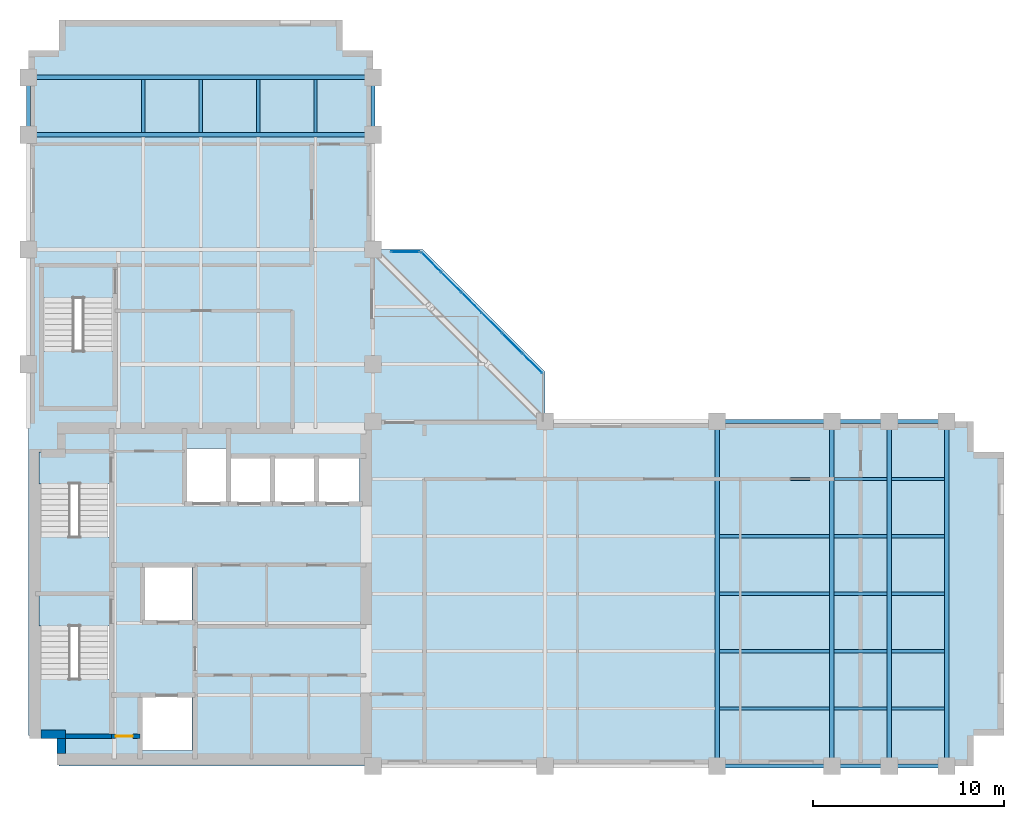
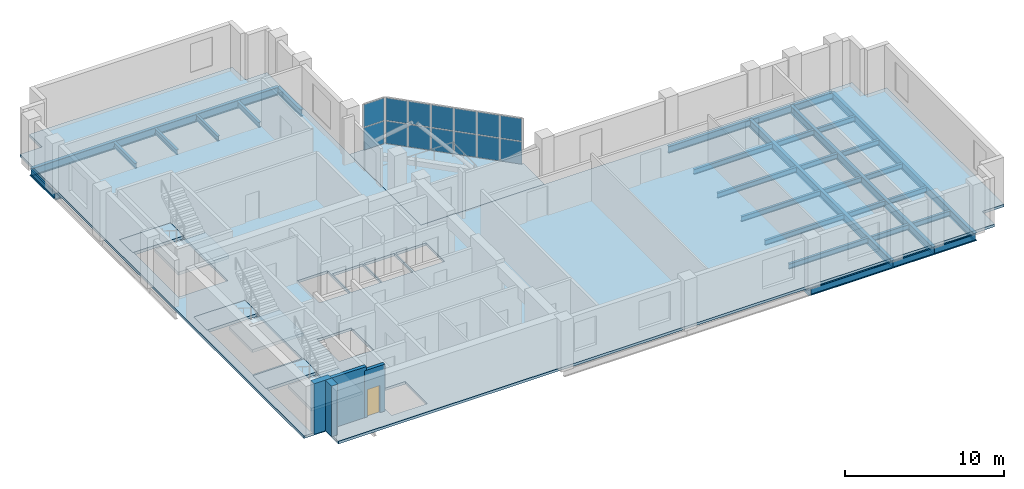
# One storey, part 4 of 9: 33 beams, 14 plates, 8 slabs, 4 walls, 1 door, 1 opening, 5 elements without a shape of their own.
"""IFC4 building model written with IfcOpenShell, lengths in metres."""

import ifcopenshell
import ifcopenshell.guid

model = None  # the IFC model being written
_history = None  # IfcOwnerHistory: only IFC2X3 demands one
_inside = {}  # id of a spatial element -> (the spatial element, [elements in it])
_under = {}  # id of a project, library or spatial element -> (it, [spatial elements below it])
_declared = {}  # id of a project -> (the project, [libraries it declares])
_typed = {}  # id of a type object -> (the type object, [elements of that type])
_made_of = {}  # id of a material, layer set ... -> (it, [elements and type objects made of it])


def new_model(schema):
    """Start an empty IFC model of exactly this schema.

    Asked for "IFC4X3", IfcOpenShell would pick the latest addendum, in which some entities
    have other attributes; the version numbers below select the first issue.
    IFC2X3 requires an IfcOwnerHistory on every rooted entity: one is made here for all.
    """
    global model, _history
    if schema == "IFC4X3":
        model = ifcopenshell.file(schema_version=(4, 3, 0, 0))
    else:
        model = ifcopenshell.file(schema=schema)
    _inside.clear()
    _under.clear()
    _declared.clear()
    _typed.clear()
    _made_of.clear()
    _history = None
    if model.schema == "IFC2X3":
        org = make("IfcOrganization", Name="unknown")
        user = make(
            "IfcPersonAndOrganization",
            ThePerson=make("IfcPerson", FamilyName="unknown"),
            TheOrganization=org,
        )
        app = make(
            "IfcApplication",
            ApplicationDeveloper=org,
            Version="unknown",
            ApplicationFullName="unknown",
            ApplicationIdentifier="unknown",
        )
        _history = make(
            "IfcOwnerHistory",
            OwningUser=user,
            OwningApplication=app,
            ChangeAction="ADDED",
            CreationDate=0,
        )
    return model


def make(cls, **values):
    """One entity of the class cls with the attributes given. An attribute that is None is left unset."""
    return model.create_entity(
        cls, **{name: value for name, value in values.items() if value is not None}
    )


def rooted(cls, **values):
    """An entity with a GlobalId (a new one), such as an element, a storey or a relation."""
    return make(cls, GlobalId=ifcopenshell.guid.new(), OwnerHistory=_history, **values)


def si_unit(unit_type, name, prefix=None):
    """IfcSIUnit, for example si_unit("LENGTHUNIT", "METRE", prefix="MILLI")."""
    return make("IfcSIUnit", UnitType=unit_type, Prefix=prefix, Name=name)


def assignment(units):
    """IfcUnitAssignment: the units of a project."""
    return None if units is None else make("IfcUnitAssignment", Units=units)


def point(xyz):
    """IfcCartesianPoint."""
    return None if xyz is None else make("IfcCartesianPoint", Coordinates=xyz)


def direction(xyz):
    """IfcDirection."""
    return None if xyz is None else make("IfcDirection", DirectionRatios=xyz)


def frame(location, z_axis=None, x_axis=None):
    """IfcAxis2Placement3D, a coordinate frame: its origin and axes. An axis left out is left unset."""
    return make(
        "IfcAxis2Placement3D",
        Location=point(location),
        Axis=direction(z_axis),
        RefDirection=direction(x_axis),
    )


def frame_2d(location, x_axis=None):
    """IfcAxis2Placement2D, a coordinate frame in the plane: its origin and x axis."""
    return make(
        "IfcAxis2Placement2D", Location=point(location), RefDirection=direction(x_axis)
    )


def origin():
    """The frame at (0, 0, 0) with its axes left unset."""
    return frame((0.0, 0.0, 0.0))


def origin_2d():
    """The frame at (0, 0) in the plane with its x axis left unset."""
    return frame_2d((0.0, 0.0))


def place(relative_to, where):
    """IfcLocalPlacement: puts the frame where relative to a parent placement (None: the world)."""
    return make(
        "IfcLocalPlacement", PlacementRelTo=relative_to, RelativePlacement=where
    )


def context(
    kind, dimensions, precision=None, world=None, true_north=None, identifier=None
):
    """IfcGeometricRepresentationContext, for example the 3D "Model" context."""
    return make(
        "IfcGeometricRepresentationContext",
        ContextIdentifier=identifier,
        ContextType=kind,
        CoordinateSpaceDimension=dimensions,
        Precision=precision,
        WorldCoordinateSystem=world,
        TrueNorth=true_north,
    )


def subcontext(parent, identifier, kind, view, scale=None):
    """IfcGeometricRepresentationSubContext, for example "Body" below "Model"."""
    return make(
        "IfcGeometricRepresentationSubContext",
        ContextIdentifier=identifier,
        ContextType=kind,
        ParentContext=parent,
        TargetScale=scale,
        TargetView=view,
    )


def project(units=None, contexts=None):
    """IfcProject with its units and contexts."""
    return rooted(
        "IfcProject",
        Name="project",
        RepresentationContexts=contexts,
        UnitsInContext=assignment(units),
    )


def spatial(cls, under=None, at=None, **own):
    """A site, building, storey or space (cls), placed at a placement, below another one or the project."""
    s = rooted(cls, ObjectPlacement=at, **own)
    if under is not None:
        _under.setdefault(under.id(), (under, []))[1].append(s)
    return s


def polyline(points):
    """IfcPolyline through the points."""
    return make("IfcPolyline", Points=[point(p) for p in points])


def profile(cls, at=None, kind="AREA", **sizes):
    """A parametric profile (cls). Its sizes go by their IFC names, for example OverallWidth=200.0."""
    return make(cls, ProfileType=kind, Position=at, **sizes)


def rectangle(**sizes):
    """IfcRectangleProfileDef."""
    return profile("IfcRectangleProfileDef", **sizes)


def i_section(**sizes):
    """IfcIShapeProfileDef."""
    return profile("IfcIShapeProfileDef", **sizes)


def outline(outer, holes=None, kind="AREA"):
    """IfcArbitraryClosedProfileDef: a profile drawn as a closed curve; with holes, ...WithVoids."""
    if holes is None:
        return make("IfcArbitraryClosedProfileDef", ProfileType=kind, OuterCurve=outer)
    return make(
        "IfcArbitraryProfileDefWithVoids",
        ProfileType=kind,
        OuterCurve=outer,
        InnerCurves=holes,
    )


def extrude(swept, where, along, depth):
    """IfcExtrudedAreaSolid: the profile swept, set in the frame where, extruded along a direction by depth."""
    return make(
        "IfcExtrudedAreaSolid",
        SweptArea=swept,
        Position=where,
        ExtrudedDirection=direction(along),
        Depth=depth,
    )


def shape(context_of_items, identifier, shape_type, items):
    """IfcShapeRepresentation: the items that make up one representation, for example the "Body"."""
    return make(
        "IfcShapeRepresentation",
        ContextOfItems=context_of_items,
        RepresentationIdentifier=identifier,
        RepresentationType=shape_type,
        Items=items,
    )


def material(Name=None, Category=None):
    """IfcMaterial."""
    return make("IfcMaterial", Name=Name, Category=Category)


def layer(
    of_material, thickness, ventilated=None, Name=None, Category=None, Priority=None
):
    """IfcMaterialLayer: one layer of a wall or slab, of a material (None: an air gap)."""
    return make(
        "IfcMaterialLayer",
        Material=of_material,
        LayerThickness=thickness,
        IsVentilated=ventilated,
        Name=Name,
        Category=Category,
        Priority=Priority,
    )


def layer_set(layers, Name=None):
    """IfcMaterialLayerSet."""
    return make("IfcMaterialLayerSet", MaterialLayers=layers, LayerSetName=Name)


def material_profile(
    of_material, cross_section, Name=None, Category=None, Priority=None
):
    """IfcMaterialProfile: a cross section and its material."""
    return make(
        "IfcMaterialProfile",
        Name=Name,
        Material=of_material,
        Profile=cross_section,
        Priority=Priority,
        Category=Category,
    )


def profile_set(profiles, Name=None, composite=None):
    """IfcMaterialProfileSet."""
    return make(
        "IfcMaterialProfileSet",
        Name=Name,
        MaterialProfiles=profiles,
        CompositeProfile=composite,
    )


def made_of(thing, what):
    """Note that an element or type object is made of a material, layer set ...; save() writes the relation."""
    if what is not None:
        _made_of.setdefault(what.id(), (what, []))[1].append(thing)
    return thing


def type_object(cls, material=None, **own):
    """A type object (cls), such as IfcWallType, which elements share."""
    return made_of(rooted(cls, **own), material)


def element(
    cls,
    number,
    at=None,
    inside=None,
    cuts=None,
    type_object=None,
    material=None,
    context=None,
    identifier="Body",
    shape_type=None,
    held_by="IfcProductDefinitionShape",
    body=None,
    shapes=None,
    **own,
):
    """One element of the class cls, such as IfcWall. Its Tag is "e" and its number.

    at: its placement. inside: the storey or other place that contains it. cuts: it is an
    opening in that element (IfcRelVoidsElement). A single representation is given by context,
    identifier, shape_type and body (its items); several are given by shapes. held_by: the class
    of the entity that holds the representations. save() writes the other relations.
    """
    e = rooted(cls, Tag="e%d" % number, ObjectPlacement=at, **own)
    if body is not None:
        shapes = [shape(context, identifier, shape_type, body)]
    if shapes is not None:
        e.Representation = make(held_by, Representations=shapes)
    if inside is not None:
        _inside.setdefault(inside.id(), (inside, []))[1].append(e)
    if cuts is not None:
        rooted(
            "IfcRelVoidsElement", RelatingBuildingElement=cuts, RelatedOpeningElement=e
        )
    if type_object is not None:
        _typed.setdefault(type_object.id(), (type_object, []))[1].append(e)
    return made_of(e, material)


def fill(opening, filler):
    """IfcRelFillsElement: the door or window that sits in an opening."""
    return rooted(
        "IfcRelFillsElement",
        RelatingOpeningElement=opening,
        RelatedBuildingElement=filler,
    )


def aggregate(whole, parts):
    """IfcRelAggregates: a whole, such as a stair, and the parts it consists of."""
    return rooted("IfcRelAggregates", RelatingObject=whole, RelatedObjects=parts)


def save(model, path):
    """Write the relations noted so far, then the file.

    IfcRelAggregates (storeys below a building ...), IfcRelContainedInSpatialStructure (elements
    in a storey), IfcRelDefinesByType, IfcRelAssociatesMaterial and IfcRelDeclares: one each for
    every whole, place, type object, material and project.
    """
    for whole, parts in _under.values():
        aggregate(whole, parts)
    for where, things in _inside.values():
        rooted(
            "IfcRelContainedInSpatialStructure",
            RelatedElements=things,
            RelatingStructure=where,
        )
    for kind, things in _typed.values():
        rooted("IfcRelDefinesByType", RelatedObjects=things, RelatingType=kind)
    for what, things in _made_of.values():
        rooted("IfcRelAssociatesMaterial", RelatedObjects=things, RelatingMaterial=what)
    for by, libraries in _declared.values():
        rooted("IfcRelDeclares", RelatingContext=by, RelatedDefinitions=libraries)
    model.write(path)


model = new_model("IFC4")

# Units and contexts
model_context = context("Model", 3, precision=1e-05, world=origin(), true_north=direction((0.0, 1.0)))
body_context = subcontext(model_context, "Body", "Model", "MODEL_VIEW")
ifc_project = project(units=[si_unit("LENGTHUNIT", "METRE"), si_unit("AREAUNIT", "SQUARE_METRE"), si_unit("VOLUMEUNIT", "CUBIC_METRE"), si_unit("PLANEANGLEUNIT", "RADIAN"), si_unit("MASSUNIT", "GRAM", prefix="KILO")], contexts=[model_context])

# Site, building, storey
site_placement = place(None, origin())
site = spatial("IfcSite", under=ifc_project, at=site_placement, CompositionType="ELEMENT")
building_placement = place(site_placement, origin())
building = spatial("IfcBuilding", under=site, at=building_placement, Name="Mawjdan Bourse Tower", CompositionType="ELEMENT")
storey_placement = place(building_placement, frame((0.0, 0.0, 222.89990234375)))
storey = spatial("IfcBuildingStorey", under=building, at=storey_placement, Name="L54", CompositionType="ELEMENT", Elevation=222.89990234375)

# Beams
ifc_material_1 = material(Name="Structural Steel S355", Category="steel")
ifc_material_profile_1 = material_profile(ifc_material_1, i_section(OverallWidth=0.22998046875, OverallDepth=0.616943359375, WebThickness=0.01318359375, FlangeThickness=0.022216796875, FilletRadius=0.017822265625, at=origin_2d()), Name="W24X94")
ifc_profile_set_1 = profile_set([ifc_material_profile_1], Name="Structural Steel S355")
beam_type_1 = type_object("IfcBeamType", Name="GRD-W24X94", PredefinedType="BEAM", material=ifc_profile_set_1)
for number, where, z_axis, x_axis, name in (
    (1, (42.0, 3.0, -0.50830078125), (0.0, 1.0, 0.0), (-1.0, 0.0, 0.0), "L54 East Wing Clear-Span Girder 003"),
    (2, (48.0, 3.0, -0.50830078125), (0.0, 1.0, 0.0), (-1.0, 0.0, 0.0), "L54 East Wing Clear-Span Girder 004"),
    (3, (51.0, 3.0, -0.50830078125), (0.0, 1.0, 0.0), (-1.0, 0.0, 0.0), "L54 East Wing Clear-Span Girder 005"),
    (4, (54.0, 3.0, -0.50830078125), (0.0, 1.0, 0.0), (-1.0, 0.0, 0.0), "L54 East Wing Clear-Span Girder 006"),
    (5, (6.0, 36.0, -0.50830078125), (1.0, 0.0, 0.0), (0.0, 1.0, 0.0), "L54 North Wing Clear-Span Girder 049"),
    (6, (6.0, 39.0, -0.50830078125), (1.0, 0.0, 0.0), (0.0, 1.0, 0.0), "L54 North Wing Clear-Span Girder 050"),
):
    element("IfcBeam", number, at=place(storey_placement, frame(where, z_axis=z_axis, x_axis=x_axis)), inside=storey, type_object=beam_type_1, Name=name, PredefinedType="BEAM", context=body_context, shape_type="SweptSolid", body=[
        extrude(i_section(OverallWidth=0.22998046875, OverallDepth=0.616943359375, WebThickness=0.01318359375, FlangeThickness=0.022216796875, FilletRadius=0.017822265625, at=origin_2d()), origin(), (0.0, 0.0, 1.0), 18.0),
    ])
ifc_material_profile_2 = material_profile(ifc_material_1, i_section(OverallWidth=0.177978515625, OverallDepth=0.406982421875, WebThickness=0.0078125, FlangeThickness=0.0126953125, FilletRadius=0.01025390625, at=origin_2d()), Name="W16X40")
ifc_profile_set_2 = profile_set([ifc_material_profile_2], Name="Structural Steel S355")
beam_type_2 = type_object("IfcBeamType", Name="JST-W16X40", PredefinedType="JOIST", material=ifc_profile_set_2)
beam_1_placement = place(storey_placement, frame((42.113037109375, 6.0, -0.4033203125), z_axis=(1.0, 0.0, 0.0), x_axis=(0.0, 1.0, 0.0)))
element("IfcBeam", 7, at=beam_1_placement, inside=storey, type_object=beam_type_2, Name="L54 East Wing Composite Joist 019", PredefinedType="JOIST", context=body_context, shape_type="SweptSolid", body=[
    extrude(i_section(OverallWidth=0.177978515625, OverallDepth=0.406982421875, WebThickness=0.0078125, FlangeThickness=0.0126953125, FilletRadius=0.01025390625, at=origin_2d()), origin(), (0.0, 0.0, 1.0), 5.77392578125),
])
for number, where, z_axis, x_axis, name in (
    (8, (48.113037109375, 6.0, -0.4033203125), (1.0, 0.0, 0.0), (0.0, 1.0, 0.0), "L54 East Wing Composite Joist 020"),
    (9, (51.113037109375, 6.0, -0.4033203125), (1.0, 0.0, 0.0), (0.0, 1.0, 0.0), "L54 East Wing Composite Joist 021"),
):
    element("IfcBeam", number, at=place(storey_placement, frame(where, z_axis=z_axis, x_axis=x_axis)), inside=storey, type_object=beam_type_2, Name=name, PredefinedType="JOIST", context=body_context, shape_type="SweptSolid", body=[
        extrude(i_section(OverallWidth=0.177978515625, OverallDepth=0.406982421875, WebThickness=0.0078125, FlangeThickness=0.0126953125, FilletRadius=0.01025390625, at=origin_2d()), origin(), (0.0, 0.0, 1.0), 2.77392578125),
    ])
beam_2_placement = place(storey_placement, frame((42.113037109375, 9.0, -0.4033203125), z_axis=(1.0, 0.0, 0.0), x_axis=(0.0, 1.0, 0.0)))
element("IfcBeam", 10, at=beam_2_placement, inside=storey, type_object=beam_type_2, Name="L54 East Wing Composite Joist 024", PredefinedType="JOIST", context=body_context, shape_type="SweptSolid", body=[
    extrude(i_section(OverallWidth=0.177978515625, OverallDepth=0.406982421875, WebThickness=0.0078125, FlangeThickness=0.0126953125, FilletRadius=0.01025390625, at=origin_2d()), origin(), (0.0, 0.0, 1.0), 5.77392578125),
])
for number, where, z_axis, x_axis, name in (
    (11, (48.113037109375, 9.0, -0.4033203125), (1.0, 0.0, 0.0), (0.0, 1.0, 0.0), "L54 East Wing Composite Joist 025"),
    (12, (51.113037109375, 9.0, -0.4033203125), (1.0, 0.0, 0.0), (0.0, 1.0, 0.0), "L54 East Wing Composite Joist 026"),
):
    element("IfcBeam", number, at=place(storey_placement, frame(where, z_axis=z_axis, x_axis=x_axis)), inside=storey, type_object=beam_type_2, Name=name, PredefinedType="JOIST", context=body_context, shape_type="SweptSolid", body=[
        extrude(i_section(OverallWidth=0.177978515625, OverallDepth=0.406982421875, WebThickness=0.0078125, FlangeThickness=0.0126953125, FilletRadius=0.01025390625, at=origin_2d()), origin(), (0.0, 0.0, 1.0), 2.77392578125),
    ])
beam_3_placement = place(storey_placement, frame((42.113037109375, 12.0, -0.4033203125), z_axis=(1.0, 0.0, 0.0), x_axis=(0.0, 1.0, 0.0)))
element("IfcBeam", 13, at=beam_3_placement, inside=storey, type_object=beam_type_2, Name="L54 East Wing Composite Joist 029", PredefinedType="JOIST", context=body_context, shape_type="SweptSolid", body=[
    extrude(i_section(OverallWidth=0.177978515625, OverallDepth=0.406982421875, WebThickness=0.0078125, FlangeThickness=0.0126953125, FilletRadius=0.01025390625, at=origin_2d()), origin(), (0.0, 0.0, 1.0), 5.77392578125),
])
for number, where, z_axis, x_axis, name in (
    (14, (48.113037109375, 12.0, -0.4033203125), (1.0, 0.0, 0.0), (0.0, 1.0, 0.0), "L54 East Wing Composite Joist 030"),
    (15, (51.113037109375, 12.0, -0.4033203125), (1.0, 0.0, 0.0), (0.0, 1.0, 0.0), "L54 East Wing Composite Joist 031"),
):
    element("IfcBeam", number, at=place(storey_placement, frame(where, z_axis=z_axis, x_axis=x_axis)), inside=storey, type_object=beam_type_2, Name=name, PredefinedType="JOIST", context=body_context, shape_type="SweptSolid", body=[
        extrude(i_section(OverallWidth=0.177978515625, OverallDepth=0.406982421875, WebThickness=0.0078125, FlangeThickness=0.0126953125, FilletRadius=0.01025390625, at=origin_2d()), origin(), (0.0, 0.0, 1.0), 2.77392578125),
    ])
beam_4_placement = place(storey_placement, frame((42.113037109375, 15.0, -0.4033203125), z_axis=(1.0, 0.0, 0.0), x_axis=(0.0, 1.0, 0.0)))
element("IfcBeam", 16, at=beam_4_placement, inside=storey, type_object=beam_type_2, Name="L54 East Wing Composite Joist 034", PredefinedType="JOIST", context=body_context, shape_type="SweptSolid", body=[
    extrude(i_section(OverallWidth=0.177978515625, OverallDepth=0.406982421875, WebThickness=0.0078125, FlangeThickness=0.0126953125, FilletRadius=0.01025390625, at=origin_2d()), origin(), (0.0, 0.0, 1.0), 5.77392578125),
])
for number, where, z_axis, x_axis, name in (
    (17, (48.113037109375, 15.0, -0.4033203125), (1.0, 0.0, 0.0), (0.0, 1.0, 0.0), "L54 East Wing Composite Joist 035"),
    (18, (51.113037109375, 15.0, -0.4033203125), (1.0, 0.0, 0.0), (0.0, 1.0, 0.0), "L54 East Wing Composite Joist 036"),
):
    element("IfcBeam", number, at=place(storey_placement, frame(where, z_axis=z_axis, x_axis=x_axis)), inside=storey, type_object=beam_type_2, Name=name, PredefinedType="JOIST", context=body_context, shape_type="SweptSolid", body=[
        extrude(i_section(OverallWidth=0.177978515625, OverallDepth=0.406982421875, WebThickness=0.0078125, FlangeThickness=0.0126953125, FilletRadius=0.01025390625, at=origin_2d()), origin(), (0.0, 0.0, 1.0), 2.77392578125),
    ])
beam_5_placement = place(storey_placement, frame((42.113037109375, 18.0, -0.4033203125), z_axis=(1.0, 0.0, 0.0), x_axis=(0.0, 1.0, 0.0)))
element("IfcBeam", 19, at=beam_5_placement, inside=storey, type_object=beam_type_2, Name="L54 East Wing Composite Joist 039", PredefinedType="JOIST", context=body_context, shape_type="SweptSolid", body=[
    extrude(i_section(OverallWidth=0.177978515625, OverallDepth=0.406982421875, WebThickness=0.0078125, FlangeThickness=0.0126953125, FilletRadius=0.01025390625, at=origin_2d()), origin(), (0.0, 0.0, 1.0), 5.77392578125),
])
for number, where, z_axis, x_axis, name in (
    (20, (48.113037109375, 18.0, -0.4033203125), (1.0, 0.0, 0.0), (0.0, 1.0, 0.0), "L54 East Wing Composite Joist 040"),
    (21, (51.113037109375, 18.0, -0.4033203125), (1.0, 0.0, 0.0), (0.0, 1.0, 0.0), "L54 East Wing Composite Joist 041"),
    (22, (12.0, 36.113037109375, -0.4033203125), (0.0, 1.0, 0.0), (-1.0, 0.0, 0.0), "L54 North Wing Composite Joist 062"),
    (23, (15.0, 36.113037109375, -0.4033203125), (0.0, 1.0, 0.0), (-1.0, 0.0, 0.0), "L54 North Wing Composite Joist 066"),
    (24, (18.0, 36.113037109375, -0.4033203125), (0.0, 1.0, 0.0), (-1.0, 0.0, 0.0), "L54 North Wing Composite Joist 070"),
    (25, (21.0, 36.113037109375, -0.4033203125), (0.0, 1.0, 0.0), (-1.0, 0.0, 0.0), "L54 North Wing Composite Joist 074"),
):
    element("IfcBeam", number, at=place(storey_placement, frame(where, z_axis=z_axis, x_axis=x_axis)), inside=storey, type_object=beam_type_2, Name=name, PredefinedType="JOIST", context=body_context, shape_type="SweptSolid", body=[
        extrude(i_section(OverallWidth=0.177978515625, OverallDepth=0.406982421875, WebThickness=0.0078125, FlangeThickness=0.0126953125, FilletRadius=0.01025390625, at=origin_2d()), origin(), (0.0, 0.0, 1.0), 2.77392578125),
    ])
ifc_material_profile_3 = material_profile(ifc_material_1, i_section(OverallWidth=0.2099609375, OverallDepth=0.537109375, WebThickness=0.010986328125, FlangeThickness=0.017333984375, FilletRadius=0.013916015625, at=origin_2d()), Name="W21X68")
ifc_profile_set_3 = profile_set([ifc_material_profile_3], Name="Structural Steel S355")
beam_type_3 = type_object("IfcBeamType", Name="SPN-W21X68", PredefinedType="SPANDREL", material=ifc_profile_set_3)
beam_6_placement = place(storey_placement, frame((42.0, 3.0, -0.468505859375), z_axis=(1.0, 0.0, 0.0), x_axis=(0.0, 1.0, 0.0)))
element("IfcBeam", 26, at=beam_6_placement, inside=storey, type_object=beam_type_3, Name="L54 Perimeter Masonry-Shelf Spandrel 009", PredefinedType="SPANDREL", context=body_context, shape_type="SweptSolid", body=[
    extrude(i_section(OverallWidth=0.2099609375, OverallDepth=0.537109375, WebThickness=0.010986328125, FlangeThickness=0.017333984375, FilletRadius=0.013916015625, at=origin_2d()), origin(), (0.0, 0.0, 1.0), 6.0),
])
for number, where, z_axis, x_axis, name in (
    (27, (48.0, 3.0, -0.468505859375), (1.0, 0.0, 0.0), (0.0, 1.0, 0.0), "L54 Perimeter Masonry-Shelf Spandrel 010"),
    (28, (51.0, 3.0, -0.468505859375), (1.0, 0.0, 0.0), (0.0, 1.0, 0.0), "L54 Perimeter Masonry-Shelf Spandrel 011"),
):
    element("IfcBeam", number, at=place(storey_placement, frame(where, z_axis=z_axis, x_axis=x_axis)), inside=storey, type_object=beam_type_3, Name=name, PredefinedType="SPANDREL", context=body_context, shape_type="SweptSolid", body=[
        extrude(i_section(OverallWidth=0.2099609375, OverallDepth=0.537109375, WebThickness=0.010986328125, FlangeThickness=0.017333984375, FilletRadius=0.013916015625, at=origin_2d()), origin(), (0.0, 0.0, 1.0), 3.0),
    ])
beam_7_placement = place(storey_placement, frame((42.0, 21.0, -0.468505859375), z_axis=(1.0, 0.0, 0.0), x_axis=(0.0, 1.0, 0.0)))
element("IfcBeam", 29, at=beam_7_placement, inside=storey, type_object=beam_type_3, Name="L54 Perimeter Masonry-Shelf Spandrel 014", PredefinedType="SPANDREL", context=body_context, shape_type="SweptSolid", body=[
    extrude(i_section(OverallWidth=0.2099609375, OverallDepth=0.537109375, WebThickness=0.010986328125, FlangeThickness=0.017333984375, FilletRadius=0.013916015625, at=origin_2d()), origin(), (0.0, 0.0, 1.0), 6.0),
])
for number, where, z_axis, x_axis, name in (
    (30, (48.0, 21.0, -0.468505859375), (1.0, 0.0, 0.0), (0.0, 1.0, 0.0), "L54 Perimeter Masonry-Shelf Spandrel 015"),
    (31, (51.0, 21.0, -0.468505859375), (1.0, 0.0, 0.0), (0.0, 1.0, 0.0), "L54 Perimeter Masonry-Shelf Spandrel 016"),
    (32, (6.0, 36.0, -0.468505859375), (0.0, 1.0, 0.0), (-1.0, 0.0, 0.0), "L54 North Wing Spandrel 054"),
    (33, (24.0, 36.0, -0.468505859375), (0.0, 1.0, 0.0), (-1.0, 0.0, 0.0), "L54 North Wing Spandrel 058"),
):
    element("IfcBeam", number, at=place(storey_placement, frame(where, z_axis=z_axis, x_axis=x_axis)), inside=storey, type_object=beam_type_3, Name=name, PredefinedType="SPANDREL", context=body_context, shape_type="SweptSolid", body=[
        extrude(i_section(OverallWidth=0.2099609375, OverallDepth=0.537109375, WebThickness=0.010986328125, FlangeThickness=0.017333984375, FilletRadius=0.013916015625, at=origin_2d()), origin(), (0.0, 0.0, 1.0), 3.0),
    ])

# Curtain wall, plates
ifc_material_2 = material(Name="Thermally Broken Aluminium and Solar Glass", Category="aluminium")
ifc_layer_1 = layer(ifc_material_2, 0.219970703125)
ifc_layer_set_1 = layer_set([ifc_layer_1], Name="Thermally Broken Aluminium and Solar Glass")
curtain_wall_type = type_object("IfcCurtainWallType", Name="CW-BRG", PredefinedType="USERDEFINED", material=ifc_layer_set_1)
curtain_wall_1_placement = place(storey_placement, origin())
curtain_wall_1 = element("IfcCurtainWall", 34, at=curtain_wall_1_placement, inside=storey, type_object=curtain_wall_type, Name="L54 Atrium Sky Bridge Diagonal Curtain Wall", ObjectType="SKY BRIDGE CURTAIN WALL", PredefinedType="USERDEFINED")
ifc_material_3 = material(Name="Acoustic Laminated Sky-Bridge Glass", Category="glass")
ifc_layer_2 = layer(ifc_material_3, 0.033935546875)
ifc_layer_set_2 = layer_set([ifc_layer_2], Name="Acoustic Laminated Sky-Bridge Glass")
plate_type = type_object("IfcPlateType", Name="PNL-CW-BRG", PredefinedType="CURTAIN_PANEL", material=ifc_layer_set_2)
plate_1_placement = place(storey_placement, frame((32.3369140625, 24.043212890625, 0.05517578125), z_axis=(0.0, 0.0, 1.0), x_axis=(-0.707106781187, 0.707106781187, 0.0)))
plate_1 = element("IfcPlate", 35, at=plate_1_placement, type_object=plate_type, Name="CW-BRG-L54-BRG-DIAG panel 1.1", PredefinedType="CURTAIN_PANEL", context=body_context, shape_type="SweptSolid", body=[
    extrude(rectangle(XDim=1.40625, YDim=0.033935546875, at=origin_2d()), origin(), (0.0, 0.0, 1.0), 1.7275390625),
])
plate_2_placement = place(storey_placement, frame((32.3369140625, 24.043212890625, 1.837646484375), z_axis=(0.0, 0.0, 1.0), x_axis=(-0.707106781187, 0.707106781187, 0.0)))
plate_2 = element("IfcPlate", 36, at=plate_2_placement, type_object=plate_type, Name="CW-BRG-L54-BRG-DIAG panel 1.2", PredefinedType="CURTAIN_PANEL", context=body_context, shape_type="SweptSolid", body=[
    extrude(rectangle(XDim=1.40625, YDim=0.033935546875, at=origin_2d()), origin(), (0.0, 0.0, 1.0), 1.7275390625),
])
plate_3_placement = place(storey_placement, frame((31.284912109375, 25.094970703125, 0.05517578125), z_axis=(0.0, 0.0, 1.0), x_axis=(-0.707106781187, 0.707106781187, 0.0)))
plate_3 = element("IfcPlate", 37, at=plate_3_placement, type_object=plate_type, Name="CW-BRG-L54-BRG-DIAG panel 2.1", PredefinedType="CURTAIN_PANEL", context=body_context, shape_type="SweptSolid", body=[
    extrude(rectangle(XDim=1.438720703125, YDim=0.033935546875, at=origin_2d()), origin(), (0.0, 0.0, 1.0), 1.7275390625),
])
plate_4_placement = place(storey_placement, frame((31.284912109375, 25.094970703125, 1.837646484375), z_axis=(0.0, 0.0, 1.0), x_axis=(-0.707106781187, 0.707106781187, 0.0)))
plate_4 = element("IfcPlate", 38, at=plate_4_placement, type_object=plate_type, Name="CW-BRG-L54-BRG-DIAG panel 2.2", PredefinedType="CURTAIN_PANEL", context=body_context, shape_type="SweptSolid", body=[
    extrude(rectangle(XDim=1.438720703125, YDim=0.033935546875, at=origin_2d()), origin(), (0.0, 0.0, 1.0), 1.7275390625),
])
plate_5_placement = place(storey_placement, frame((30.2216796875, 26.158447265625, 0.05517578125), z_axis=(0.0, 0.0, 1.0), x_axis=(-0.707106781187, 0.707106781187, 0.0)))
plate_5 = element("IfcPlate", 39, at=plate_5_placement, type_object=plate_type, Name="CW-BRG-L54-BRG-DIAG panel 3.1", PredefinedType="CURTAIN_PANEL", context=body_context, shape_type="SweptSolid", body=[
    extrude(rectangle(XDim=1.438720703125, YDim=0.033935546875, at=origin_2d()), origin(), (0.0, 0.0, 1.0), 1.7275390625),
])
plate_6_placement = place(storey_placement, frame((30.2216796875, 26.158447265625, 1.837646484375), z_axis=(0.0, 0.0, 1.0), x_axis=(-0.707106781187, 0.707106781187, 0.0)))
plate_6 = element("IfcPlate", 40, at=plate_6_placement, type_object=plate_type, Name="CW-BRG-L54-BRG-DIAG panel 3.2", PredefinedType="CURTAIN_PANEL", context=body_context, shape_type="SweptSolid", body=[
    extrude(rectangle(XDim=1.438720703125, YDim=0.033935546875, at=origin_2d()), origin(), (0.0, 0.0, 1.0), 1.7275390625),
])
plate_7_placement = place(storey_placement, frame((29.158447265625, 27.2216796875, 0.05517578125), z_axis=(0.0, 0.0, 1.0), x_axis=(-0.707106781187, 0.707106781187, 0.0)))
plate_7 = element("IfcPlate", 41, at=plate_7_placement, type_object=plate_type, Name="CW-BRG-L54-BRG-DIAG panel 4.1", PredefinedType="CURTAIN_PANEL", context=body_context, shape_type="SweptSolid", body=[
    extrude(rectangle(XDim=1.438720703125, YDim=0.033935546875, at=origin_2d()), origin(), (0.0, 0.0, 1.0), 1.7275390625),
])
plate_8_placement = place(storey_placement, frame((29.158447265625, 27.2216796875, 1.837646484375), z_axis=(0.0, 0.0, 1.0), x_axis=(-0.707106781187, 0.707106781187, 0.0)))
plate_8 = element("IfcPlate", 42, at=plate_8_placement, type_object=plate_type, Name="CW-BRG-L54-BRG-DIAG panel 4.2", PredefinedType="CURTAIN_PANEL", context=body_context, shape_type="SweptSolid", body=[
    extrude(rectangle(XDim=1.438720703125, YDim=0.033935546875, at=origin_2d()), origin(), (0.0, 0.0, 1.0), 1.7275390625),
])
plate_9_placement = place(storey_placement, frame((28.094970703125, 28.284912109375, 0.05517578125), z_axis=(0.0, 0.0, 1.0), x_axis=(-0.707106781187, 0.707106781187, 0.0)))
plate_9 = element("IfcPlate", 43, at=plate_9_placement, type_object=plate_type, Name="CW-BRG-L54-BRG-DIAG panel 5.1", PredefinedType="CURTAIN_PANEL", context=body_context, shape_type="SweptSolid", body=[
    extrude(rectangle(XDim=1.438720703125, YDim=0.033935546875, at=origin_2d()), origin(), (0.0, 0.0, 1.0), 1.7275390625),
])
plate_10_placement = place(storey_placement, frame((28.094970703125, 28.284912109375, 1.837646484375), z_axis=(0.0, 0.0, 1.0), x_axis=(-0.707106781187, 0.707106781187, 0.0)))
plate_10 = element("IfcPlate", 44, at=plate_10_placement, type_object=plate_type, Name="CW-BRG-L54-BRG-DIAG panel 5.2", PredefinedType="CURTAIN_PANEL", context=body_context, shape_type="SweptSolid", body=[
    extrude(rectangle(XDim=1.438720703125, YDim=0.033935546875, at=origin_2d()), origin(), (0.0, 0.0, 1.0), 1.7275390625),
])
plate_11_placement = place(storey_placement, frame((27.043212890625, 29.3369140625, 0.05517578125), z_axis=(0.0, 0.0, 1.0), x_axis=(-0.707106781187, 0.707106781187, 0.0)))
plate_11 = element("IfcPlate", 45, at=plate_11_placement, type_object=plate_type, Name="CW-BRG-L54-BRG-DIAG panel 6.1", PredefinedType="CURTAIN_PANEL", context=body_context, shape_type="SweptSolid", body=[
    extrude(rectangle(XDim=1.40625, YDim=0.033935546875, at=origin_2d()), origin(), (0.0, 0.0, 1.0), 1.7275390625),
])
plate_12_placement = place(storey_placement, frame((27.043212890625, 29.3369140625, 1.837646484375), z_axis=(0.0, 0.0, 1.0), x_axis=(-0.707106781187, 0.707106781187, 0.0)))
plate_12 = element("IfcPlate", 46, at=plate_12_placement, type_object=plate_type, Name="CW-BRG-L54-BRG-DIAG panel 6.2", PredefinedType="CURTAIN_PANEL", context=body_context, shape_type="SweptSolid", body=[
    extrude(rectangle(XDim=1.40625, YDim=0.033935546875, at=origin_2d()), origin(), (0.0, 0.0, 1.0), 1.7275390625),
])
aggregate(curtain_wall_1, [plate_1, plate_2, plate_3, plate_4, plate_5, plate_6, plate_7, plate_8, plate_9, plate_10, plate_11, plate_12])

curtain_wall_2_placement = place(storey_placement, origin())
curtain_wall_2 = element("IfcCurtainWall", 47, at=curtain_wall_2_placement, inside=storey, type_object=curtain_wall_type, Name="L54 Atrium Sky Bridge North Return Curtain Wall", ObjectType="SKY BRIDGE CURTAIN WALL", PredefinedType="USERDEFINED")
plate_13_placement = place(storey_placement, frame((25.699951171875, 29.8798828125, 0.05517578125), z_axis=(0.0, 0.0, 1.0), x_axis=(-1.0, 0.0, 0.0)))
plate_13 = element("IfcPlate", 48, at=plate_13_placement, type_object=plate_type, Name="CW-BRG-L54-BRG-N panel 1.1", PredefinedType="CURTAIN_PANEL", context=body_context, shape_type="SweptSolid", body=[
    extrude(rectangle(XDim=1.469970703125, YDim=0.033935546875, at=origin_2d()), origin(), (0.0, 0.0, 1.0), 1.7275390625),
])
plate_14_placement = place(storey_placement, frame((25.699951171875, 29.8798828125, 1.837646484375), z_axis=(0.0, 0.0, 1.0), x_axis=(-1.0, 0.0, 0.0)))
plate_14 = element("IfcPlate", 49, at=plate_14_placement, type_object=plate_type, Name="CW-BRG-L54-BRG-N panel 1.2", PredefinedType="CURTAIN_PANEL", context=body_context, shape_type="SweptSolid", body=[
    extrude(rectangle(XDim=1.469970703125, YDim=0.033935546875, at=origin_2d()), origin(), (0.0, 0.0, 1.0), 1.7275390625),
])
aggregate(curtain_wall_2, [plate_13, plate_14])

# Stair, slabs
ifc_material_4 = material(Name="Concrete C50/60", Category="concrete")
stair_type = type_object("IfcStairType", Name="STR-CORE-1500", PredefinedType="HALF_TURN_STAIR", material=ifc_material_4)
stair_1_placement = place(storey_placement, origin())
stair_1 = element("IfcStair", 50, at=stair_1_placement, inside=storey, type_object=stair_type, Name="L54 Exit Stair 1 (Core South-West)", PredefinedType="HALF_TURN_STAIR")
ifc_layer_3 = layer(ifc_material_4, 0.22998046875)
ifc_layer_set_3 = layer_set([ifc_layer_3], Name="Concrete C50/60")
slab_type_1 = type_object("IfcSlabType", Name="SL-LND-230", PredefinedType="LANDING", material=ifc_layer_set_3)
slab_1_placement = place(storey_placement, frame((0.0, 0.0, -0.22998046875)))
slab_1 = element("IfcSlab", 51, at=slab_1_placement, type_object=slab_type_1, Name="ST1-L54 landing 1", PredefinedType="LANDING", context=body_context, shape_type="SweptSolid", body=[
    extrude(outline(polyline([(6.5400390625, 10.31005859375), (10.260009765625, 10.31005859375), (10.260009765625, 11.969970703125), (6.5400390625, 11.969970703125), (6.5400390625, 10.31005859375)])), origin(), (0.0, 0.0, 1.0), 0.22998046875),
])
slab_2_placement = place(storey_placement, frame((0.0, 0.0, 1.72021484375)))
slab_2 = element("IfcSlab", 52, at=slab_2_placement, type_object=slab_type_1, Name="ST1-L54 landing 2", PredefinedType="LANDING", context=body_context, shape_type="SweptSolid", body=[
    extrude(outline(polyline([(6.5400390625, 4.590087890625), (10.260009765625, 4.590087890625), (10.260009765625, 7.5400390625), (6.5400390625, 7.5400390625), (6.5400390625, 4.590087890625)])), origin(), (0.0, 0.0, 1.0), 0.22998046875),
])
aggregate(stair_1, [slab_1, slab_2])

stair_2_placement = place(storey_placement, origin())
stair_2 = element("IfcStair", 53, at=stair_2_placement, inside=storey, type_object=stair_type, Name="L54 Exit Stair 2 (Core North-West)", PredefinedType="HALF_TURN_STAIR")
slab_3_placement = place(storey_placement, frame((0.0, 0.0, -0.22998046875)))
slab_3 = element("IfcSlab", 54, at=slab_3_placement, type_object=slab_type_1, Name="ST2-L54 landing 1", PredefinedType="LANDING", context=body_context, shape_type="SweptSolid", body=[
    extrude(outline(polyline([(6.5400390625, 17.75), (10.260009765625, 17.75), (10.260009765625, 19.409912109375), (6.5400390625, 19.409912109375), (6.5400390625, 17.75)])), origin(), (0.0, 0.0, 1.0), 0.22998046875),
])
slab_4_placement = place(storey_placement, frame((0.0, 0.0, 1.72021484375)))
slab_4 = element("IfcSlab", 55, at=slab_4_placement, type_object=slab_type_1, Name="ST2-L54 landing 2", PredefinedType="LANDING", context=body_context, shape_type="SweptSolid", body=[
    extrude(outline(polyline([(6.5400390625, 12.030029296875), (10.260009765625, 12.030029296875), (10.260009765625, 14.97998046875), (6.5400390625, 14.97998046875), (6.5400390625, 12.030029296875)])), origin(), (0.0, 0.0, 1.0), 0.22998046875),
])
aggregate(stair_2, [slab_3, slab_4])

stair_3_placement = place(storey_placement, origin())
stair_3 = element("IfcStair", 56, at=stair_3_placement, inside=storey, type_object=stair_type, Name="L54 Exit Stair 3 (North Wing)", PredefinedType="HALF_TURN_STAIR")
slab_5_placement = place(storey_placement, frame((0.0, 0.0, -0.22998046875)))
slab_5 = element("IfcSlab", 57, at=slab_5_placement, type_object=slab_type_1, Name="ST3-L54 landing 1", PredefinedType="LANDING", context=body_context, shape_type="SweptSolid", body=[
    extrude(outline(polyline([(6.739990234375, 27.4599609375), (10.4599609375, 27.4599609375), (10.4599609375, 29.1201171875), (6.739990234375, 29.1201171875), (6.739990234375, 27.4599609375)])), origin(), (0.0, 0.0, 1.0), 0.22998046875),
])
slab_6_placement = place(storey_placement, frame((0.0, 0.0, 1.72021484375)))
slab_6 = element("IfcSlab", 58, at=slab_6_placement, type_object=slab_type_1, Name="ST3-L54 landing 2", PredefinedType="LANDING", context=body_context, shape_type="SweptSolid", body=[
    extrude(outline(polyline([(6.739990234375, 21.739990234375), (10.4599609375, 21.739990234375), (10.4599609375, 24.68994140625), (6.739990234375, 24.68994140625), (6.739990234375, 21.739990234375)])), origin(), (0.0, 0.0, 1.0), 0.22998046875),
])
aggregate(stair_3, [slab_5, slab_6])

# Slabs
ifc_layer_4 = layer(ifc_material_4, 0.199951171875)
ifc_layer_set_4 = layer_set([ifc_layer_4], Name="Concrete C50/60")
slab_type_2 = type_object("IfcSlabType", Name="SL-OFC-200", PredefinedType="FLOOR", material=ifc_layer_set_4)
slab_7_placement = place(storey_placement, frame((0.0, 0.0, -0.199951171875)))
element("IfcSlab", 59, at=slab_7_placement, inside=storey, type_object=slab_type_2, Name="L54 Structural Floor Slab 1", PredefinedType="FLOOR", context=body_context, shape_type="SweptSolid", body=[
    extrude(outline(polyline([(7.60009765625, 3.0), (55.39990234375, 3.0), (55.39990234375, 4.60009765625), (57.0, 4.60009765625), (57.0, 19.39990234375), (55.39990234375, 19.39990234375), (55.39990234375, 21.0), (24.0, 21.0), (24.0, 40.39990234375), (22.39990234375, 40.39990234375), (22.39990234375, 42.0), (7.60009765625, 42.0), (7.60009765625, 40.39990234375), (6.0, 40.39990234375), (6.0, 4.60009765625), (7.60009765625, 4.60009765625), (7.60009765625, 3.0)]), holes=[polyline([(6.5400390625, 11.969970703125), (10.260009765625, 11.969970703125), (10.260009765625, 10.31005859375), (10.199951171875, 10.31005859375), (10.199951171875, 4.64990234375), (6.60009765625, 4.64990234375), (6.60009765625, 10.31005859375), (6.5400390625, 10.31005859375), (6.5400390625, 11.969970703125)]), polyline([(6.60009765625, 12.090087890625), (6.60009765625, 17.75), (6.5400390625, 17.75), (6.5400390625, 19.409912109375), (10.260009765625, 19.409912109375), (10.260009765625, 17.75), (10.199951171875, 17.75), (10.199951171875, 12.090087890625), (6.60009765625, 12.090087890625)]), polyline([(10.4599609375, 29.1201171875), (10.4599609375, 27.4599609375), (10.39990234375, 27.4599609375), (10.39990234375, 21.800048828125), (6.800048828125, 21.800048828125), (6.800048828125, 27.4599609375), (6.739990234375, 27.4599609375), (6.739990234375, 29.1201171875), (10.4599609375, 29.1201171875)]), polyline([(14.550048828125, 3.800048828125), (11.949951171875, 3.800048828125), (11.949951171875, 6.60009765625), (14.550048828125, 6.60009765625), (14.550048828125, 3.800048828125)]), polyline([(12.050048828125, 10.60009765625), (12.050048828125, 13.39990234375), (14.550048828125, 13.39990234375), (14.550048828125, 10.60009765625), (12.050048828125, 10.60009765625)]), polyline([(16.5, 16.800048828125), (16.5, 19.14990234375), (18.699951171875, 19.14990234375), (18.699951171875, 16.800048828125), (16.5, 16.800048828125)]), polyline([(21.0, 16.800048828125), (18.800048828125, 16.800048828125), (18.800048828125, 19.14990234375), (21.0, 19.14990234375), (21.0, 16.800048828125)]), polyline([(21.10009765625, 16.800048828125), (21.10009765625, 19.14990234375), (23.300048828125, 19.14990234375), (23.300048828125, 16.800048828125), (21.10009765625, 16.800048828125)]), polyline([(14.199951171875, 16.800048828125), (14.199951171875, 19.60009765625), (16.39990234375, 19.60009765625), (16.39990234375, 16.800048828125), (14.199951171875, 16.800048828125)])]), origin(), (0.0, 0.0, 1.0), 0.199951171875),
])
ifc_layer_5 = layer(ifc_material_4, 0.25)
ifc_layer_set_5 = layer_set([ifc_layer_5], Name="Concrete C50/60")
slab_type_3 = type_object("IfcSlabType", Name="SL-SKY-250", PredefinedType="FLOOR", material=ifc_layer_set_5)
slab_8_placement = place(storey_placement, frame((0.0, 0.0, -0.25)))
element("IfcSlab", 60, at=slab_8_placement, inside=storey, type_object=slab_type_3, Name="L54 Atrium Sky Bridge Slab", PredefinedType="FLOOR", context=body_context, shape_type="SweptSolid", body=[
    extrude(outline(polyline([(24.0, 21.0), (33.0, 21.0), (33.0, 23.60009765625), (26.60009765625, 30.0), (24.0, 30.0), (24.0, 21.0)])), origin(), (0.0, 0.0, 1.0), 0.25),
])

# Walls
ifc_material_5 = material(Name="Concrete C60/75", Category="concrete")
ifc_layer_6 = layer(ifc_material_5, 0.449951171875)
ifc_layer_set_6 = layer_set([ifc_layer_6], Name="Concrete C60/75")
wall_type_1 = type_object("IfcWallType", Name="WL-CORE-450", PredefinedType="SHEAR", material=ifc_layer_set_6)
wall_1_placement = place(storey_placement, frame((6.64990234375, 4.64990234375, 0.0), z_axis=(0.0, 0.0, 1.0), x_axis=(1.0, 0.0, 0.0)))
element("IfcWall", 61, at=wall_1_placement, inside=storey, type_object=wall_type_1, Name="L54 Rear Core Shear Wall SW-X", PredefinedType="SHEAR", context=body_context, shape_type="SweptSolid", body=[
    extrude(rectangle(XDim=1.275146484375, YDim=0.449951171875, at=frame_2d((0.6376953125, 0.0))), origin(), (0.0, 0.0, 1.0), 3.900146484375),
])
wall_2_placement = place(storey_placement, frame((7.699951171875, 3.64990234375, 0.0), z_axis=(0.0, 0.0, 1.0), x_axis=(0.0, 1.0, 0.0)))
element("IfcWall", 62, at=wall_2_placement, inside=storey, type_object=wall_type_1, Name="L54 Rear Core Shear Wall SW-Y", PredefinedType="SHEAR", context=body_context, shape_type="SweptSolid", body=[
    extrude(rectangle(XDim=0.775146484375, YDim=0.449951171875, at=frame_2d((0.3876953125, 0.0))), origin(), (0.0, 0.0, 1.0), 3.900146484375),
])

# Wall, opening, door
ifc_layer_7 = layer(ifc_material_4, 0.25)
ifc_layer_set_7 = layer_set([ifc_layer_7], Name="Concrete C50/60")
wall_type_2 = type_object("IfcWallType", Name="WL-SHFT-250", PredefinedType="PARTITIONING", material=ifc_layer_set_7)
wall_3_placement = place(storey_placement, frame((10.330078125, 4.550048828125, 0.0), z_axis=(0.0, 0.0, 1.0), x_axis=(1.0, 0.0, 0.0)))
wall_3 = element("IfcWall", 63, at=wall_3_placement, inside=storey, type_object=wall_type_2, Name="L54 SW Riser North Wall", PredefinedType="PARTITIONING", context=body_context, shape_type="SweptSolid", body=[
    extrude(rectangle(XDim=1.489990234375, YDim=0.25, at=frame_2d((0.7451171875, 0.0))), origin(), (0.0, 0.0, 1.0), 3.610107421875),
])
opening_placement = place(wall_3_placement, frame((0.219970703125, 0.0, 0.0)))
opening = element("IfcOpeningElement", 64, at=opening_placement, cuts=wall_3, Name="Opening RD-L54-03", PredefinedType="OPENING", context=body_context, shape_type="SweptSolid", body=[
    extrude(rectangle(XDim=0.89990234375, YDim=2.10009765625, at=frame_2d((0.449951171875, 1.050048828125))), frame((0.0, 0.135009765625, 0.0), z_axis=(0.0, -1.0, 0.0), x_axis=(1.0, 0.0, 0.0)), (0.0, 0.0, 1.0), 0.27001953125),
])
ifc_material_6 = material(Name="Fire-Rated Steel Access Leaf", Category="steel")
door_type = type_object("IfcDoorType", Name="FD-RSR-0900", OperationType="NOTDEFINED", PredefinedType="TRAPDOOR", material=ifc_material_6)
door_placement = place(opening_placement, origin())
door = element("IfcDoor", 65, at=door_placement, inside=storey, type_object=door_type, Name="L54 Electrical Riser Access Door RD-L54-03", OperationType="SINGLE_SWING_LEFT", OverallHeight=2.10009765625, OverallWidth=0.89990234375, PredefinedType="TRAPDOOR", context=body_context, shape_type="SweptSolid", body=[
    extrude(rectangle(XDim=0.89990234375, YDim=2.10009765625, at=frame_2d((0.449951171875, 1.050048828125))), frame((0.0, 0.02490234375, 0.0), z_axis=(0.0, -1.0, 0.0), x_axis=(1.0, 0.0, 0.0)), (0.0, 0.0, 1.0), 0.050048828125),
])
fill(opening, door)

# Wall
ifc_layer_8 = layer(ifc_material_4, 0.25)
ifc_layer_set_8 = layer_set([ifc_layer_8], Name="Concrete C50/60")
wall_type_3 = type_object("IfcWallType", Name="WL-STRW-250", PredefinedType="SHEAR", material=ifc_layer_set_8)
wall_4_placement = place(storey_placement, frame((7.699951171875, 4.550048828125, 0.0), z_axis=(0.0, 0.0, 1.0), x_axis=(1.0, 0.0, 0.0)))
element("IfcWall", 66, at=wall_4_placement, inside=storey, type_object=wall_type_3, Name="L54 Stairwell ST1 South Shaft Wall", PredefinedType="SHEAR", context=body_context, shape_type="SweptSolid", body=[
    extrude(rectangle(XDim=2.755126953125, YDim=0.25, at=frame_2d((1.37744140625, 0.0))), origin(), (0.0, 0.0, 1.0), 3.900146484375),
])

save(model, "model.ifc")
